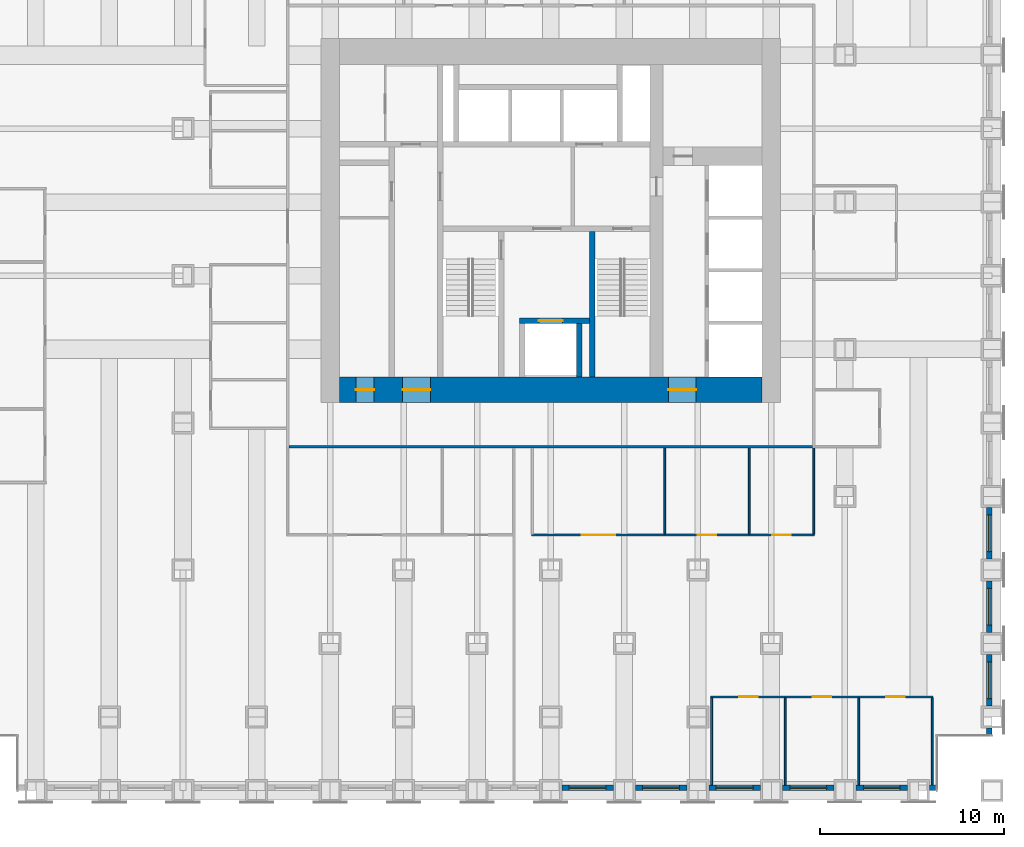
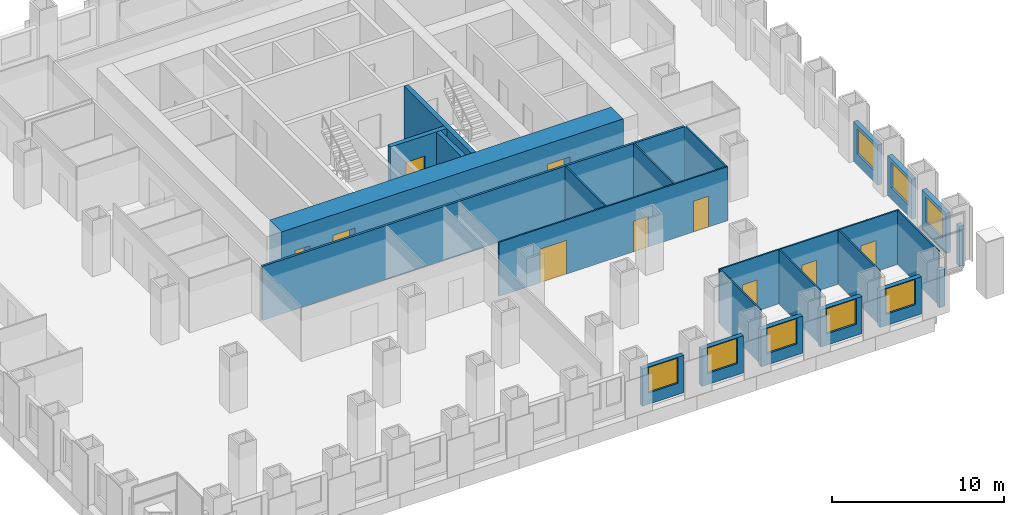
# One storey, part 10 of 15: 24 walls, 10 doors, 8 windows, 18 openings.
"""IFC4 building model written with IfcOpenShell, lengths in metres."""

from ifc_helpers import new_model, si_unit, direction, frame, frame_2d, origin, place, context, subcontext, project, spatial, rectangle, extrude, material, layer, layer_set, type_object, element, fill, save


model = new_model("IFC4")

# Units and contexts
model_context = context("Model", 3, precision=1e-05, world=origin(), true_north=direction((0.0, 1.0)))
body_context = subcontext(model_context, "Body", "Model", "MODEL_VIEW")
ifc_project = project(units=[si_unit("LENGTHUNIT", "METRE"), si_unit("AREAUNIT", "SQUARE_METRE"), si_unit("VOLUMEUNIT", "CUBIC_METRE"), si_unit("PLANEANGLEUNIT", "RADIAN"), si_unit("MASSUNIT", "GRAM", prefix="KILO")], contexts=[model_context])

# Site, building, storey
site_placement = place(None, origin())
site = spatial("IfcSite", under=ifc_project, at=site_placement, CompositionType="ELEMENT")
building_placement = place(site_placement, origin())
building = spatial("IfcBuilding", under=site, at=building_placement, Name="Rimbunsela Tower", CompositionType="ELEMENT")
storey_placement = place(building_placement, frame((0.0, 0.0, 39.0)))
storey = spatial("IfcBuildingStorey", under=building, at=storey_placement, Name="L09", CompositionType="ELEMENT", Elevation=39.0)

# Walls
ifc_material_1 = material(Name="Concrete fc' 80 MPa", Category="concrete")
ifc_layer_1 = layer(ifc_material_1, 0.300048828125)
ifc_layer_set_1 = layer_set([ifc_layer_1], Name="Core internal wall 300")
wall_type_1 = type_object("IfcWallType", Name="Core internal wall 300", PredefinedType="SHEAR", material=ifc_layer_set_1)
wall_1_placement = place(storey_placement, frame((32.25, 18.5, -0.14990234375), z_axis=(0.0, 0.0, 1.0), x_axis=(0.0, 1.0, 0.0)))
element("IfcWall", 1, at=wall_1_placement, inside=storey, type_object=wall_type_1, Name="Stair B enclosure", PredefinedType="SHEAR", context=body_context, shape_type="SweptSolid", body=[
    extrude(rectangle(XDim=7.89990234375, YDim=0.300048828125, at=frame_2d((3.949951171875, 0.0))), origin(), (0.0, 0.0, 1.0), 4.0),
])
wall_2_placement = place(storey_placement, frame((31.550048828125, 18.5, -0.14990234375), z_axis=(0.0, 0.0, 1.0), x_axis=(0.0, 1.0, 0.0)))
element("IfcWall", 2, at=wall_2_placement, inside=storey, type_object=wall_type_1, Name="Firefighting lift shaft east", PredefinedType="SHEAR", context=body_context, shape_type="SweptSolid", body=[
    extrude(rectangle(XDim=2.89990234375, YDim=0.300048828125, at=frame_2d((1.449951171875, 0.0))), origin(), (0.0, 0.0, 1.0), 4.0),
])

# Wall, opening, door
wall_3_placement = place(storey_placement, frame((28.300048828125, 21.550048828125, -0.14990234375), z_axis=(0.0, 0.0, 1.0), x_axis=(1.0, 0.0, 0.0)))
wall_3 = element("IfcWall", 3, at=wall_3_placement, inside=storey, type_object=wall_type_1, Name="Firefighting lift shaft front", PredefinedType="SHEAR", context=body_context, shape_type="SweptSolid", body=[
    extrude(rectangle(XDim=3.800048828125, YDim=0.300048828125, at=frame_2d((1.89990234375, 0.0))), origin(), (0.0, 0.0, 1.0), 4.0),
])
opening_1_placement = place(wall_3_placement, frame((1.050048828125, 0.0, 0.14990234375)))
opening_1 = element("IfcOpeningElement", 4, at=opening_1_placement, cuts=wall_3, Name="Opening LD2", PredefinedType="OPENING", context=body_context, shape_type="SweptSolid", body=[
    extrude(rectangle(XDim=1.300048828125, YDim=2.39990234375, at=frame_2d((0.64990234375, 1.199951171875))), frame((0.0, 0.159912109375, 0.0), z_axis=(0.0, -1.0, 0.0), x_axis=(1.0, 0.0, 0.0)), (0.0, 0.0, 1.0), 0.320068359375),
])
ifc_material_2 = material(Name="Steel door, fire rated", Category="steel")
door_type_1 = type_object("IfcDoorType", Name="Lift landing door 1300", OperationType="DOUBLE_DOOR_SLIDING", PredefinedType="DOOR", material=ifc_material_2)
door_1_placement = place(opening_1_placement, origin())
door_1 = element("IfcDoor", 5, at=door_1_placement, inside=storey, type_object=door_type_1, Name="Lift landing door FL1", OperationType="DOUBLE_DOOR_SLIDING", OverallHeight=2.39990234375, OverallWidth=1.300048828125, PredefinedType="DOOR", context=body_context, shape_type="SweptSolid", body=[
    extrude(rectangle(XDim=1.300048828125, YDim=2.39990234375, at=frame_2d((0.64990234375, 1.199951171875))), frame((0.0, 0.02490234375, 0.0), z_axis=(0.0, -1.0, 0.0), x_axis=(1.0, 0.0, 0.0)), (0.0, 0.0, 1.0), 0.050048828125),
])
fill(opening_1, door_1)

# Wall, openings, doors
ifc_material_3 = material(Name="Concrete fc' 80 MPa", Category="concrete")
ifc_layer_2 = layer(ifc_material_3, 1.39990234375)
ifc_layer_set_2 = layer_set([ifc_layer_2], Name="Core wall 1400")
wall_type_2 = type_object("IfcWallType", Name="Core wall 1400", PredefinedType="SHEAR", material=ifc_layer_set_2)
wall_4_placement = place(storey_placement, frame((18.5, 17.800048828125, -0.14990234375), z_axis=(0.0, 0.0, 1.0), x_axis=(1.0, 0.0, 0.0)))
wall_4 = element("IfcWall", 6, at=wall_4_placement, inside=storey, type_object=wall_type_2, Name="Core wall south", PredefinedType="SHEAR", context=body_context, shape_type="SweptSolid", body=[
    extrude(rectangle(XDim=23.0, YDim=1.39990234375, at=frame_2d((11.5, 0.0))), origin(), (0.0, 0.0, 1.0), 4.0),
])
opening_2_placement = place(wall_4_placement, frame((3.449951171875, 0.0, 0.14990234375)))
opening_2 = element("IfcOpeningElement", 7, at=opening_2_placement, cuts=wall_4, Name="Opening D03", PredefinedType="OPENING", context=body_context, shape_type="SweptSolid", body=[
    extrude(rectangle(XDim=1.5, YDim=2.39990234375, at=frame_2d((0.75, 1.199951171875))), frame((0.0, 0.7099609375, 0.0), z_axis=(0.0, -1.0, 0.0), x_axis=(1.0, 0.0, 0.0)), (0.0, 0.0, 1.0), 1.419921875),
])
opening_3_placement = place(wall_4_placement, frame((17.89990234375, 0.0, 0.14990234375)))
opening_3 = element("IfcOpeningElement", 8, at=opening_3_placement, cuts=wall_4, Name="Opening D03", PredefinedType="OPENING", context=body_context, shape_type="SweptSolid", body=[
    extrude(rectangle(XDim=1.5, YDim=2.39990234375, at=frame_2d((0.75, 1.199951171875))), frame((0.0, 0.7099609375, 0.0), z_axis=(0.0, -1.0, 0.0), x_axis=(1.0, 0.0, 0.0)), (0.0, 0.0, 1.0), 1.419921875),
])
opening_4_placement = place(wall_4_placement, frame((0.89990234375, 0.0, 0.14990234375)))
opening_4 = element("IfcOpeningElement", 9, at=opening_4_placement, cuts=wall_4, Name="Opening D19", PredefinedType="OPENING", context=body_context, shape_type="SweptSolid", body=[
    extrude(rectangle(XDim=1.0, YDim=2.199951171875, at=frame_2d((0.5, 1.10009765625))), frame((0.0, 0.7099609375, 0.0), z_axis=(0.0, -1.0, 0.0), x_axis=(1.0, 0.0, 0.0)), (0.0, 0.0, 1.0), 1.419921875),
])
ifc_material_4 = material(Name="Steel door, fire rated", Category="steel")
door_type_2 = type_object("IfcDoorType", Name="Core lobby door 1500", OperationType="DOUBLE_DOOR_DOUBLE_SWING", PredefinedType="DOOR", material=ifc_material_4)
door_2_placement = place(opening_2_placement, origin())
door_2 = element("IfcDoor", 10, at=door_2_placement, inside=storey, type_object=door_type_2, Name="Core door south", OperationType="DOUBLE_DOOR_DOUBLE_SWING", OverallHeight=2.39990234375, OverallWidth=1.5, PredefinedType="DOOR", context=body_context, shape_type="SweptSolid", body=[
    extrude(rectangle(XDim=1.5, YDim=2.39990234375, at=frame_2d((0.75, 1.199951171875))), frame((0.0, 0.02490234375, 0.0), z_axis=(0.0, -1.0, 0.0), x_axis=(1.0, 0.0, 0.0)), (0.0, 0.0, 1.0), 0.050048828125),
])
fill(opening_2, door_2)
door_3_placement = place(opening_3_placement, origin())
door_3 = element("IfcDoor", 11, at=door_3_placement, inside=storey, type_object=door_type_2, Name="Core door south-east", OperationType="DOUBLE_DOOR_DOUBLE_SWING", OverallHeight=2.39990234375, OverallWidth=1.5, PredefinedType="DOOR", context=body_context, shape_type="SweptSolid", body=[
    extrude(rectangle(XDim=1.5, YDim=2.39990234375, at=frame_2d((0.75, 1.199951171875))), frame((0.0, 0.02490234375, 0.0), z_axis=(0.0, -1.0, 0.0), x_axis=(1.0, 0.0, 0.0)), (0.0, 0.0, 1.0), 0.050048828125),
])
fill(opening_3, door_3)
ifc_material_5 = material(Name="Steel door, fire rated", Category="steel")
door_type_3 = type_object("IfcDoorType", Name="Service door 1000 fire rated", OperationType="SINGLE_SWING_LEFT", PredefinedType="DOOR", material=ifc_material_5)
door_4_placement = place(opening_4_placement, origin())
door_4 = element("IfcDoor", 12, at=door_4_placement, inside=storey, type_object=door_type_3, Name="Electrical room door", OperationType="SINGLE_SWING_LEFT", OverallHeight=2.199951171875, OverallWidth=1.0, PredefinedType="DOOR", context=body_context, shape_type="SweptSolid", body=[
    extrude(rectangle(XDim=1.0, YDim=2.199951171875, at=frame_2d((0.5, 1.10009765625))), frame((0.0, 0.02490234375, 0.0), z_axis=(0.0, -1.0, 0.0), x_axis=(1.0, 0.0, 0.0)), (0.0, 0.0, 1.0), 0.050048828125),
])
fill(opening_4, door_4)

ifc_material_6 = material(Name="Gypsum board on steel studs", Category="steel")
ifc_layer_3 = layer(ifc_material_6, 0.10009765625)
ifc_layer_set_3 = layer_set([ifc_layer_3], Name="Office partition 100")
wall_type_3 = type_object("IfcWallType", Name="Office partition 100", PredefinedType="PARTITIONING", material=ifc_layer_set_3)
wall_5_placement = place(storey_placement, frame((38.699951171875, 1.10009765625, 0.0), z_axis=(0.0, 0.0, 1.0), x_axis=(1.0, 0.0, 0.0)))
wall_5 = element("IfcWall", 13, at=wall_5_placement, inside=storey, type_object=wall_type_3, Name="Office partition", PredefinedType="PARTITIONING", context=body_context, shape_type="SweptSolid", body=[
    extrude(rectangle(XDim=12.10009765625, YDim=0.10009765625, at=frame_2d((6.050048828125, 0.0))), origin(), (0.0, 0.0, 1.0), 3.85009765625),
])
opening_5_placement = place(wall_5_placement, frame((1.550048828125, 0.0, 0.0)))
opening_5 = element("IfcOpeningElement", 14, at=opening_5_placement, cuts=wall_5, Name="Opening D17", PredefinedType="OPENING", context=body_context, shape_type="SweptSolid", body=[
    extrude(rectangle(XDim=1.0, YDim=2.199951171875, at=frame_2d((0.5, 1.10009765625))), frame((0.0, 0.06005859375, 0.0), z_axis=(0.0, -1.0, 0.0), x_axis=(1.0, 0.0, 0.0)), (0.0, 0.0, 1.0), 0.1201171875),
])
opening_6_placement = place(wall_5_placement, frame((5.550048828125, 0.0, 0.0)))
opening_6 = element("IfcOpeningElement", 15, at=opening_6_placement, cuts=wall_5, Name="Opening D17", PredefinedType="OPENING", context=body_context, shape_type="SweptSolid", body=[
    extrude(rectangle(XDim=1.0, YDim=2.199951171875, at=frame_2d((0.5, 1.10009765625))), frame((0.0, 0.06005859375, 0.0), z_axis=(0.0, -1.0, 0.0), x_axis=(1.0, 0.0, 0.0)), (0.0, 0.0, 1.0), 0.1201171875),
])
opening_7_placement = place(wall_5_placement, frame((9.550048828125, 0.0, 0.0)))
opening_7 = element("IfcOpeningElement", 16, at=opening_7_placement, cuts=wall_5, Name="Opening D17", PredefinedType="OPENING", context=body_context, shape_type="SweptSolid", body=[
    extrude(rectangle(XDim=1.0, YDim=2.199951171875, at=frame_2d((0.5, 1.10009765625))), frame((0.0, 0.06005859375, 0.0), z_axis=(0.0, -1.0, 0.0), x_axis=(1.0, 0.0, 0.0)), (0.0, 0.0, 1.0), 0.1201171875),
])
ifc_material_7 = material(Name="Glazed aluminium door", Category="aluminium")
door_type_4 = type_object("IfcDoorType", Name="Meeting room door 1000 glazed", OperationType="SINGLE_SWING_RIGHT", PredefinedType="DOOR", material=ifc_material_7)
door_5_placement = place(opening_5_placement, origin())
door_5 = element("IfcDoor", 17, at=door_5_placement, inside=storey, type_object=door_type_4, Name="Meeting room door", OperationType="SINGLE_SWING_RIGHT", OverallHeight=2.199951171875, OverallWidth=1.0, PredefinedType="DOOR", context=body_context, shape_type="SweptSolid", body=[
    extrude(rectangle(XDim=1.0, YDim=2.199951171875, at=frame_2d((0.5, 1.10009765625))), frame((0.0, 0.02490234375, 0.0), z_axis=(0.0, -1.0, 0.0), x_axis=(1.0, 0.0, 0.0)), (0.0, 0.0, 1.0), 0.050048828125),
])
fill(opening_5, door_5)
door_6_placement = place(opening_6_placement, origin())
door_6 = element("IfcDoor", 18, at=door_6_placement, inside=storey, type_object=door_type_4, Name="Meeting room door", OperationType="SINGLE_SWING_RIGHT", OverallHeight=2.199951171875, OverallWidth=1.0, PredefinedType="DOOR", context=body_context, shape_type="SweptSolid", body=[
    extrude(rectangle(XDim=1.0, YDim=2.199951171875, at=frame_2d((0.5, 1.10009765625))), frame((0.0, 0.02490234375, 0.0), z_axis=(0.0, -1.0, 0.0), x_axis=(1.0, 0.0, 0.0)), (0.0, 0.0, 1.0), 0.050048828125),
])
fill(opening_6, door_6)
door_7_placement = place(opening_7_placement, origin())
door_7 = element("IfcDoor", 19, at=door_7_placement, inside=storey, type_object=door_type_4, Name="Meeting room door", OperationType="SINGLE_SWING_RIGHT", OverallHeight=2.199951171875, OverallWidth=1.0, PredefinedType="DOOR", context=body_context, shape_type="SweptSolid", body=[
    extrude(rectangle(XDim=1.0, YDim=2.199951171875, at=frame_2d((0.5, 1.10009765625))), frame((0.0, 0.02490234375, 0.0), z_axis=(0.0, -1.0, 0.0), x_axis=(1.0, 0.0, 0.0)), (0.0, 0.0, 1.0), 0.050048828125),
])
fill(opening_7, door_7)

wall_6_placement = place(storey_placement, frame((28.948974609375, 9.89990234375, 0.0), z_axis=(0.0, 0.0, 1.0), x_axis=(1.0, 0.0, 0.0)))
wall_6 = element("IfcWall", 20, at=wall_6_placement, inside=storey, type_object=wall_type_3, Name="Office partition", PredefinedType="PARTITIONING", context=body_context, shape_type="SweptSolid", body=[
    extrude(rectangle(XDim=15.401123046875, YDim=0.10009765625, at=frame_2d((7.70068359375, 0.0))), origin(), (0.0, 0.0, 1.0), 3.85009765625),
])
opening_8_placement = place(wall_6_placement, frame((2.75, 0.0, 0.0)))
opening_8 = element("IfcOpeningElement", 21, at=opening_8_placement, cuts=wall_6, Name="Opening D18", PredefinedType="OPENING", context=body_context, shape_type="SweptSolid", body=[
    extrude(rectangle(XDim=1.800048828125, YDim=2.39990234375, at=frame_2d((0.89990234375, 1.199951171875))), frame((0.0, 0.06005859375, 0.0), z_axis=(0.0, -1.0, 0.0), x_axis=(1.0, 0.0, 0.0)), (0.0, 0.0, 1.0), 0.1201171875),
])
opening_9_placement = place(wall_6_placement, frame((9.050048828125, 0.0, 0.0)))
opening_9 = element("IfcOpeningElement", 22, at=opening_9_placement, cuts=wall_6, Name="Opening D16", PredefinedType="OPENING", context=body_context, shape_type="SweptSolid", body=[
    extrude(rectangle(XDim=1.0, YDim=2.199951171875, at=frame_2d((0.5, 1.10009765625))), frame((0.0, 0.06005859375, 0.0), z_axis=(0.0, -1.0, 0.0), x_axis=(1.0, 0.0, 0.0)), (0.0, 0.0, 1.0), 0.1201171875),
])
opening_10_placement = place(wall_6_placement, frame((13.1005859375, 0.0, 0.0)))
opening_10 = element("IfcOpeningElement", 23, at=opening_10_placement, cuts=wall_6, Name="Opening D16", PredefinedType="OPENING", context=body_context, shape_type="SweptSolid", body=[
    extrude(rectangle(XDim=1.0, YDim=2.199951171875, at=frame_2d((0.5, 1.10009765625))), frame((0.0, 0.06005859375, 0.0), z_axis=(0.0, -1.0, 0.0), x_axis=(1.0, 0.0, 0.0)), (0.0, 0.0, 1.0), 0.1201171875),
])
ifc_material_8 = material(Name="Glazed aluminium door", Category="aluminium")
door_type_5 = type_object("IfcDoorType", Name="Boardroom door 1800 glazed", OperationType="DOUBLE_DOOR_DOUBLE_SWING", PredefinedType="DOOR", material=ifc_material_8)
door_8_placement = place(opening_8_placement, origin())
door_8 = element("IfcDoor", 24, at=door_8_placement, inside=storey, type_object=door_type_5, Name="Boardroom door", OperationType="DOUBLE_DOOR_DOUBLE_SWING", OverallHeight=2.39990234375, OverallWidth=1.800048828125, PredefinedType="DOOR", context=body_context, shape_type="SweptSolid", body=[
    extrude(rectangle(XDim=1.800048828125, YDim=2.39990234375, at=frame_2d((0.89990234375, 1.199951171875))), frame((0.0, 0.02490234375, 0.0), z_axis=(0.0, -1.0, 0.0), x_axis=(1.0, 0.0, 0.0)), (0.0, 0.0, 1.0), 0.050048828125),
])
fill(opening_8, door_8)
ifc_material_9 = material(Name="Timber door", Category="wood")
door_type_6 = type_object("IfcDoorType", Name="Office door 1000", OperationType="SINGLE_SWING_LEFT", PredefinedType="DOOR", material=ifc_material_9)
door_9_placement = place(opening_9_placement, origin())
door_9 = element("IfcDoor", 25, at=door_9_placement, inside=storey, type_object=door_type_6, Name="Office door", OperationType="SINGLE_SWING_LEFT", OverallHeight=2.199951171875, OverallWidth=1.0, PredefinedType="DOOR", context=body_context, shape_type="SweptSolid", body=[
    extrude(rectangle(XDim=1.0, YDim=2.199951171875, at=frame_2d((0.5, 1.10009765625))), frame((0.0, 0.02490234375, 0.0), z_axis=(0.0, -1.0, 0.0), x_axis=(1.0, 0.0, 0.0)), (0.0, 0.0, 1.0), 0.050048828125),
])
fill(opening_9, door_9)
door_10_placement = place(opening_10_placement, origin())
door_10 = element("IfcDoor", 26, at=door_10_placement, inside=storey, type_object=door_type_6, Name="Office door", OperationType="SINGLE_SWING_LEFT", OverallHeight=2.199951171875, OverallWidth=1.0, PredefinedType="DOOR", context=body_context, shape_type="SweptSolid", body=[
    extrude(rectangle(XDim=1.0, YDim=2.199951171875, at=frame_2d((0.5, 1.10009765625))), frame((0.0, 0.02490234375, 0.0), z_axis=(0.0, -1.0, 0.0), x_axis=(1.0, 0.0, 0.0)), (0.0, 0.0, 1.0), 0.050048828125),
])
fill(opening_10, door_10)

# Walls
wall_7_placement = place(storey_placement, frame((36.198974609375, 9.949951171875, 0.0), z_axis=(0.0, 0.0, 1.0), x_axis=(0.0, 1.0, 0.0)))
element("IfcWall", 27, at=wall_7_placement, inside=storey, type_object=wall_type_3, Name="Office partition", PredefinedType="PARTITIONING", context=body_context, shape_type="SweptSolid", body=[
    extrude(rectangle(XDim=4.675048828125, YDim=0.10009765625, at=frame_2d((2.33740234375, 0.0))), origin(), (0.0, 0.0, 1.0), 3.85009765625),
])
wall_8_placement = place(storey_placement, frame((38.75, -3.699951171875, 0.0), z_axis=(0.0, 0.0, 1.0), x_axis=(0.0, 1.0, 0.0)))
element("IfcWall", 28, at=wall_8_placement, inside=storey, type_object=wall_type_3, Name="Office partition", PredefinedType="PARTITIONING", context=body_context, shape_type="SweptSolid", body=[
    extrude(rectangle(XDim=4.75, YDim=0.10009765625, at=frame_2d((2.375, 0.0))), origin(), (0.0, 0.0, 1.0), 3.85009765625),
])
wall_9_placement = place(storey_placement, frame((40.799072265625, 9.949951171875, 0.0), z_axis=(0.0, 0.0, 1.0), x_axis=(0.0, 1.0, 0.0)))
element("IfcWall", 29, at=wall_9_placement, inside=storey, type_object=wall_type_3, Name="Office partition", PredefinedType="PARTITIONING", context=body_context, shape_type="SweptSolid", body=[
    extrude(rectangle(XDim=4.675048828125, YDim=0.10009765625, at=frame_2d((2.33740234375, 0.0))), origin(), (0.0, 0.0, 1.0), 3.85009765625),
])
wall_10_placement = place(storey_placement, frame((42.75, -3.699951171875, 0.0), z_axis=(0.0, 0.0, 1.0), x_axis=(0.0, 1.0, 0.0)))
element("IfcWall", 30, at=wall_10_placement, inside=storey, type_object=wall_type_3, Name="Office partition", PredefinedType="PARTITIONING", context=body_context, shape_type="SweptSolid", body=[
    extrude(rectangle(XDim=4.75, YDim=0.10009765625, at=frame_2d((2.375, 0.0))), origin(), (0.0, 0.0, 1.0), 3.85009765625),
])
wall_11_placement = place(storey_placement, frame((44.300048828125, 9.949951171875, 0.0), z_axis=(0.0, 0.0, 1.0), x_axis=(0.0, 1.0, 0.0)))
element("IfcWall", 31, at=wall_11_placement, inside=storey, type_object=wall_type_3, Name="Office partition", PredefinedType="PARTITIONING", context=body_context, shape_type="SweptSolid", body=[
    extrude(rectangle(XDim=4.675048828125, YDim=0.10009765625, at=frame_2d((2.33740234375, 0.0))), origin(), (0.0, 0.0, 1.0), 3.85009765625),
])
for number, where, z_axis, x_axis, name in (
    (32, (46.75, -3.699951171875, 0.0), (0.0, 0.0, 1.0), (0.0, 1.0, 0.0), "Office partition"),
    (33, (50.75, -3.699951171875, 0.0), (0.0, 0.0, 1.0), (0.0, 1.0, 0.0), "Office partition"),
):
    element("IfcWall", number, at=place(storey_placement, frame(where, z_axis=z_axis, x_axis=x_axis)), inside=storey, type_object=wall_type_3, Name=name, PredefinedType="PARTITIONING", context=body_context, shape_type="SweptSolid", body=[
        extrude(rectangle(XDim=4.75, YDim=0.10009765625, at=frame_2d((2.375, 0.0))), origin(), (0.0, 0.0, 1.0), 3.85009765625),
    ])

# Wall, opening, window
ifc_material_10 = material(Name="Precast concrete fc' 35 MPa", Category="concrete")
ifc_layer_4 = layer(ifc_material_10, 0.300048828125)
ifc_layer_set_4 = layer_set([ifc_layer_4], Name="Precast concrete fc' 35 MPa")
wall_type_4 = type_object("IfcWallType", Name="Precast facade panel 300", PredefinedType="ELEMENTEDWALL", material=ifc_layer_set_4)
wall_12_placement = place(storey_placement, frame((30.60009765625, -3.85009765625, 0.0), z_axis=(0.0, 0.0, 1.0), x_axis=(1.0, 0.0, 0.0)))
wall_12 = element("IfcWall", 34, at=wall_12_placement, inside=storey, type_object=wall_type_4, Name="Facade panel S L09", PredefinedType="ELEMENTEDWALL", context=body_context, shape_type="SweptSolid", body=[
    extrude(rectangle(XDim=2.7998046875, YDim=0.300048828125, at=frame_2d((1.39990234375, 0.0))), origin(), (0.0, 0.0, 1.0), 2.64990234375),
])
opening_11_placement = place(wall_12_placement, frame((0.39990234375, 0.0, 0.800048828125)))
opening_11 = element("IfcOpeningElement", 35, at=opening_11_placement, cuts=wall_12, Name="Opening W7", PredefinedType="OPENING", context=body_context, shape_type="SweptSolid", body=[
    extrude(rectangle(XDim=2.0, YDim=1.800048828125, at=frame_2d((1.0, 0.89990234375))), frame((0.0, 0.159912109375, 0.0), z_axis=(0.0, -1.0, 0.0), x_axis=(1.0, 0.0, 0.0)), (0.0, 0.0, 1.0), 0.320068359375),
])
ifc_material_11 = material(Name="Clear glass in aluminium frame", Category="aluminium")
window_type = type_object("IfcWindowType", Name="Window W7 2000x1800", PartitioningType="DOUBLE_PANEL_VERTICAL", PredefinedType="WINDOW", material=ifc_material_11)
window_1_placement = place(opening_11_placement, origin())
window_1 = element("IfcWindow", 36, at=window_1_placement, inside=storey, type_object=window_type, Name="Window L09", OverallHeight=1.800048828125, OverallWidth=2.0, PartitioningType="SINGLE_PANEL", PredefinedType="WINDOW", context=body_context, shape_type="SweptSolid", body=[
    extrude(rectangle(XDim=2.0, YDim=1.800048828125, at=frame_2d((1.0, 0.89990234375))), frame((0.0, 0.030029296875, 0.0), z_axis=(0.0, -1.0, 0.0), x_axis=(1.0, 0.0, 0.0)), (0.0, 0.0, 1.0), 0.06005859375),
])
fill(opening_11, window_1)

wall_13_placement = place(storey_placement, frame((34.60009765625, -3.85009765625, 0.0), z_axis=(0.0, 0.0, 1.0), x_axis=(1.0, 0.0, 0.0)))
wall_13 = element("IfcWall", 37, at=wall_13_placement, inside=storey, type_object=wall_type_4, Name="Facade panel S L09", PredefinedType="ELEMENTEDWALL", context=body_context, shape_type="SweptSolid", body=[
    extrude(rectangle(XDim=2.7998046875, YDim=0.300048828125, at=frame_2d((1.39990234375, 0.0))), origin(), (0.0, 0.0, 1.0), 2.64990234375),
])
opening_12_placement = place(wall_13_placement, frame((0.39990234375, 0.0, 0.800048828125)))
opening_12 = element("IfcOpeningElement", 38, at=opening_12_placement, cuts=wall_13, Name="Opening W7", PredefinedType="OPENING", context=body_context, shape_type="SweptSolid", body=[
    extrude(rectangle(XDim=2.0, YDim=1.800048828125, at=frame_2d((1.0, 0.89990234375))), frame((0.0, 0.159912109375, 0.0), z_axis=(0.0, -1.0, 0.0), x_axis=(1.0, 0.0, 0.0)), (0.0, 0.0, 1.0), 0.320068359375),
])
window_2_placement = place(opening_12_placement, origin())
window_2 = element("IfcWindow", 39, at=window_2_placement, inside=storey, type_object=window_type, Name="Window L09", OverallHeight=1.800048828125, OverallWidth=2.0, PartitioningType="SINGLE_PANEL", PredefinedType="WINDOW", context=body_context, shape_type="SweptSolid", body=[
    extrude(rectangle(XDim=2.0, YDim=1.800048828125, at=frame_2d((1.0, 0.89990234375))), frame((0.0, 0.030029296875, 0.0), z_axis=(0.0, -1.0, 0.0), x_axis=(1.0, 0.0, 0.0)), (0.0, 0.0, 1.0), 0.06005859375),
])
fill(opening_12, window_2)

wall_14_placement = place(storey_placement, frame((38.60009765625, -3.85009765625, 0.0), z_axis=(0.0, 0.0, 1.0), x_axis=(1.0, 0.0, 0.0)))
wall_14 = element("IfcWall", 40, at=wall_14_placement, inside=storey, type_object=wall_type_4, Name="Facade panel S L09", PredefinedType="ELEMENTEDWALL", context=body_context, shape_type="SweptSolid", body=[
    extrude(rectangle(XDim=2.7998046875, YDim=0.300048828125, at=frame_2d((1.39990234375, 0.0))), origin(), (0.0, 0.0, 1.0), 2.64990234375),
])
opening_13_placement = place(wall_14_placement, frame((0.39990234375, 0.0, 0.800048828125)))
opening_13 = element("IfcOpeningElement", 41, at=opening_13_placement, cuts=wall_14, Name="Opening W7", PredefinedType="OPENING", context=body_context, shape_type="SweptSolid", body=[
    extrude(rectangle(XDim=2.0, YDim=1.800048828125, at=frame_2d((1.0, 0.89990234375))), frame((0.0, 0.159912109375, 0.0), z_axis=(0.0, -1.0, 0.0), x_axis=(1.0, 0.0, 0.0)), (0.0, 0.0, 1.0), 0.320068359375),
])
window_3_placement = place(opening_13_placement, origin())
window_3 = element("IfcWindow", 42, at=window_3_placement, inside=storey, type_object=window_type, Name="Window L09", OverallHeight=1.800048828125, OverallWidth=2.0, PartitioningType="SINGLE_PANEL", PredefinedType="WINDOW", context=body_context, shape_type="SweptSolid", body=[
    extrude(rectangle(XDim=2.0, YDim=1.800048828125, at=frame_2d((1.0, 0.89990234375))), frame((0.0, 0.030029296875, 0.0), z_axis=(0.0, -1.0, 0.0), x_axis=(1.0, 0.0, 0.0)), (0.0, 0.0, 1.0), 0.06005859375),
])
fill(opening_13, window_3)

wall_15_placement = place(storey_placement, frame((42.60009765625, -3.85009765625, 0.0), z_axis=(0.0, 0.0, 1.0), x_axis=(1.0, 0.0, 0.0)))
wall_15 = element("IfcWall", 43, at=wall_15_placement, inside=storey, type_object=wall_type_4, Name="Facade panel S L09", PredefinedType="ELEMENTEDWALL", context=body_context, shape_type="SweptSolid", body=[
    extrude(rectangle(XDim=2.7998046875, YDim=0.300048828125, at=frame_2d((1.39990234375, 0.0))), origin(), (0.0, 0.0, 1.0), 2.64990234375),
])
opening_14_placement = place(wall_15_placement, frame((0.39990234375, 0.0, 0.800048828125)))
opening_14 = element("IfcOpeningElement", 44, at=opening_14_placement, cuts=wall_15, Name="Opening W7", PredefinedType="OPENING", context=body_context, shape_type="SweptSolid", body=[
    extrude(rectangle(XDim=2.0, YDim=1.800048828125, at=frame_2d((1.0, 0.89990234375))), frame((0.0, 0.159912109375, 0.0), z_axis=(0.0, -1.0, 0.0), x_axis=(1.0, 0.0, 0.0)), (0.0, 0.0, 1.0), 0.320068359375),
])
window_4_placement = place(opening_14_placement, origin())
window_4 = element("IfcWindow", 45, at=window_4_placement, inside=storey, type_object=window_type, Name="Window L09", OverallHeight=1.800048828125, OverallWidth=2.0, PartitioningType="SINGLE_PANEL", PredefinedType="WINDOW", context=body_context, shape_type="SweptSolid", body=[
    extrude(rectangle(XDim=2.0, YDim=1.800048828125, at=frame_2d((1.0, 0.89990234375))), frame((0.0, 0.030029296875, 0.0), z_axis=(0.0, -1.0, 0.0), x_axis=(1.0, 0.0, 0.0)), (0.0, 0.0, 1.0), 0.06005859375),
])
fill(opening_14, window_4)

wall_16_placement = place(storey_placement, frame((46.60009765625, -3.85009765625, 0.0), z_axis=(0.0, 0.0, 1.0), x_axis=(1.0, 0.0, 0.0)))
wall_16 = element("IfcWall", 46, at=wall_16_placement, inside=storey, type_object=wall_type_4, Name="Facade panel S L09", PredefinedType="ELEMENTEDWALL", context=body_context, shape_type="SweptSolid", body=[
    extrude(rectangle(XDim=2.7998046875, YDim=0.300048828125, at=frame_2d((1.39990234375, 0.0))), origin(), (0.0, 0.0, 1.0), 2.64990234375),
])
opening_15_placement = place(wall_16_placement, frame((0.39990234375, 0.0, 0.800048828125)))
opening_15 = element("IfcOpeningElement", 47, at=opening_15_placement, cuts=wall_16, Name="Opening W7", PredefinedType="OPENING", context=body_context, shape_type="SweptSolid", body=[
    extrude(rectangle(XDim=2.0, YDim=1.800048828125, at=frame_2d((1.0, 0.89990234375))), frame((0.0, 0.159912109375, 0.0), z_axis=(0.0, -1.0, 0.0), x_axis=(1.0, 0.0, 0.0)), (0.0, 0.0, 1.0), 0.320068359375),
])
window_5_placement = place(opening_15_placement, origin())
window_5 = element("IfcWindow", 48, at=window_5_placement, inside=storey, type_object=window_type, Name="Window L09", OverallHeight=1.800048828125, OverallWidth=2.0, PartitioningType="SINGLE_PANEL", PredefinedType="WINDOW", context=body_context, shape_type="SweptSolid", body=[
    extrude(rectangle(XDim=2.0, YDim=1.800048828125, at=frame_2d((1.0, 0.89990234375))), frame((0.0, 0.030029296875, 0.0), z_axis=(0.0, -1.0, 0.0), x_axis=(1.0, 0.0, 0.0)), (0.0, 0.0, 1.0), 0.06005859375),
])
fill(opening_15, window_5)

# Walls
wall_17_placement = place(storey_placement, frame((50.60009765625, -3.85009765625, 0.0), z_axis=(0.0, 0.0, 1.0), x_axis=(1.0, 0.0, 0.0)))
element("IfcWall", 49, at=wall_17_placement, inside=storey, type_object=wall_type_4, Name="Facade panel S L09", PredefinedType="ELEMENTEDWALL", context=body_context, shape_type="SweptSolid", body=[
    extrude(rectangle(XDim=0.369873046875, YDim=0.300048828125, at=frame_2d((0.18505859375, 0.0))), origin(), (0.0, 0.0, 1.0), 2.64990234375),
])
wall_18_placement = place(storey_placement, frame((53.85009765625, -0.969970703125, 0.0), z_axis=(0.0, 0.0, 1.0), x_axis=(0.0, 1.0, 0.0)))
element("IfcWall", 50, at=wall_18_placement, inside=storey, type_object=wall_type_4, Name="Facade panel E L09", PredefinedType="ELEMENTEDWALL", context=body_context, shape_type="SweptSolid", body=[
    extrude(rectangle(XDim=0.369873046875, YDim=0.300048828125, at=frame_2d((0.18505859375, 0.0))), origin(), (0.0, 0.0, 1.0), 2.85009765625),
])

# Wall, opening, window
wall_19_placement = place(storey_placement, frame((53.85009765625, 0.60009765625, 0.0), z_axis=(0.0, 0.0, 1.0), x_axis=(0.0, 1.0, 0.0)))
wall_19 = element("IfcWall", 51, at=wall_19_placement, inside=storey, type_object=wall_type_4, Name="Facade panel E L09", PredefinedType="ELEMENTEDWALL", context=body_context, shape_type="SweptSolid", body=[
    extrude(rectangle(XDim=2.7998046875, YDim=0.300048828125, at=frame_2d((1.39990234375, 0.0))), origin(), (0.0, 0.0, 1.0), 2.85009765625),
])
opening_16_placement = place(wall_19_placement, frame((0.39990234375, 0.0, 0.800048828125)))
opening_16 = element("IfcOpeningElement", 52, at=opening_16_placement, cuts=wall_19, Name="Opening W7", PredefinedType="OPENING", context=body_context, shape_type="SweptSolid", body=[
    extrude(rectangle(XDim=2.0, YDim=1.800048828125, at=frame_2d((1.0, 0.89990234375))), frame((0.0, 0.159912109375, 0.0), z_axis=(0.0, -1.0, 0.0), x_axis=(1.0, 0.0, 0.0)), (0.0, 0.0, 1.0), 0.320068359375),
])
window_6_placement = place(opening_16_placement, origin())
window_6 = element("IfcWindow", 53, at=window_6_placement, inside=storey, type_object=window_type, Name="Window L09", OverallHeight=1.800048828125, OverallWidth=2.0, PartitioningType="SINGLE_PANEL", PredefinedType="WINDOW", context=body_context, shape_type="SweptSolid", body=[
    extrude(rectangle(XDim=2.0, YDim=1.800048828125, at=frame_2d((1.0, 0.89990234375))), frame((0.0, 0.030029296875, 0.0), z_axis=(0.0, -1.0, 0.0), x_axis=(1.0, 0.0, 0.0)), (0.0, 0.0, 1.0), 0.06005859375),
])
fill(opening_16, window_6)

wall_20_placement = place(storey_placement, frame((53.85009765625, 4.60009765625, 0.0), z_axis=(0.0, 0.0, 1.0), x_axis=(0.0, 1.0, 0.0)))
wall_20 = element("IfcWall", 54, at=wall_20_placement, inside=storey, type_object=wall_type_4, Name="Facade panel E L09", PredefinedType="ELEMENTEDWALL", context=body_context, shape_type="SweptSolid", body=[
    extrude(rectangle(XDim=2.7998046875, YDim=0.300048828125, at=frame_2d((1.39990234375, 0.0))), origin(), (0.0, 0.0, 1.0), 2.85009765625),
])
opening_17_placement = place(wall_20_placement, frame((0.39990234375, 0.0, 0.800048828125)))
opening_17 = element("IfcOpeningElement", 55, at=opening_17_placement, cuts=wall_20, Name="Opening W7", PredefinedType="OPENING", context=body_context, shape_type="SweptSolid", body=[
    extrude(rectangle(XDim=2.0, YDim=1.800048828125, at=frame_2d((1.0, 0.89990234375))), frame((0.0, 0.159912109375, 0.0), z_axis=(0.0, -1.0, 0.0), x_axis=(1.0, 0.0, 0.0)), (0.0, 0.0, 1.0), 0.320068359375),
])
window_7_placement = place(opening_17_placement, origin())
window_7 = element("IfcWindow", 56, at=window_7_placement, inside=storey, type_object=window_type, Name="Window L09", OverallHeight=1.800048828125, OverallWidth=2.0, PartitioningType="SINGLE_PANEL", PredefinedType="WINDOW", context=body_context, shape_type="SweptSolid", body=[
    extrude(rectangle(XDim=2.0, YDim=1.800048828125, at=frame_2d((1.0, 0.89990234375))), frame((0.0, 0.030029296875, 0.0), z_axis=(0.0, -1.0, 0.0), x_axis=(1.0, 0.0, 0.0)), (0.0, 0.0, 1.0), 0.06005859375),
])
fill(opening_17, window_7)

wall_21_placement = place(storey_placement, frame((53.85009765625, 8.60009765625, 0.0), z_axis=(0.0, 0.0, 1.0), x_axis=(0.0, 1.0, 0.0)))
wall_21 = element("IfcWall", 57, at=wall_21_placement, inside=storey, type_object=wall_type_4, Name="Facade panel E L09", PredefinedType="ELEMENTEDWALL", context=body_context, shape_type="SweptSolid", body=[
    extrude(rectangle(XDim=2.7998046875, YDim=0.300048828125, at=frame_2d((1.39990234375, 0.0))), origin(), (0.0, 0.0, 1.0), 2.85009765625),
])
opening_18_placement = place(wall_21_placement, frame((0.39990234375, 0.0, 0.800048828125)))
opening_18 = element("IfcOpeningElement", 58, at=opening_18_placement, cuts=wall_21, Name="Opening W7", PredefinedType="OPENING", context=body_context, shape_type="SweptSolid", body=[
    extrude(rectangle(XDim=2.0, YDim=1.800048828125, at=frame_2d((1.0, 0.89990234375))), frame((0.0, 0.159912109375, 0.0), z_axis=(0.0, -1.0, 0.0), x_axis=(1.0, 0.0, 0.0)), (0.0, 0.0, 1.0), 0.320068359375),
])
window_8_placement = place(opening_18_placement, origin())
window_8 = element("IfcWindow", 59, at=window_8_placement, inside=storey, type_object=window_type, Name="Window L09", OverallHeight=1.800048828125, OverallWidth=2.0, PartitioningType="SINGLE_PANEL", PredefinedType="WINDOW", context=body_context, shape_type="SweptSolid", body=[
    extrude(rectangle(XDim=2.0, YDim=1.800048828125, at=frame_2d((1.0, 0.89990234375))), frame((0.0, 0.030029296875, 0.0), z_axis=(0.0, -1.0, 0.0), x_axis=(1.0, 0.0, 0.0)), (0.0, 0.0, 1.0), 0.06005859375),
])
fill(opening_18, window_8)

# Wall
ifc_material_12 = material(Name="Fire-rated gypsum board on steel studs, EI 60", Category="steel")
ifc_layer_5 = layer(ifc_material_12, 0.14990234375)
ifc_layer_set_5 = layer_set([ifc_layer_5], Name="Rated corridor wall 150")
wall_type_5 = type_object("IfcWallType", Name="Rated corridor wall 150", PredefinedType="PARTITIONING", material=ifc_layer_set_5)
wall_22_placement = place(storey_placement, frame((15.77490234375, 14.699951171875, 0.0), z_axis=(0.0, 0.0, 1.0), x_axis=(1.0, 0.0, 0.0)))
element("IfcWall", 60, at=wall_22_placement, inside=storey, type_object=wall_type_5, Name="Corridor wall south", PredefinedType="PARTITIONING", context=body_context, shape_type="SweptSolid", body=[
    extrude(rectangle(XDim=28.4501953125, YDim=0.14990234375, at=frame_2d((14.22509765625, 0.0))), origin(), (0.0, 0.0, 1.0), 3.85009765625),
])

save(model, "model.ifc")
